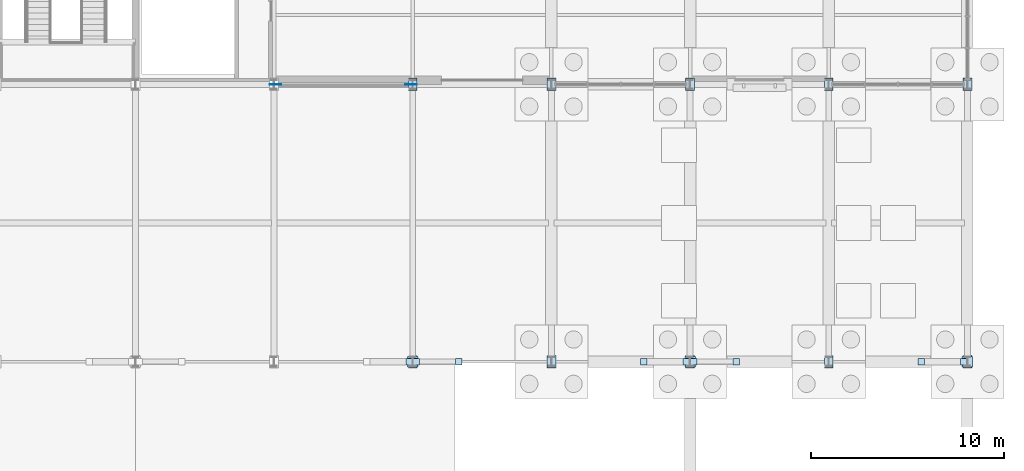
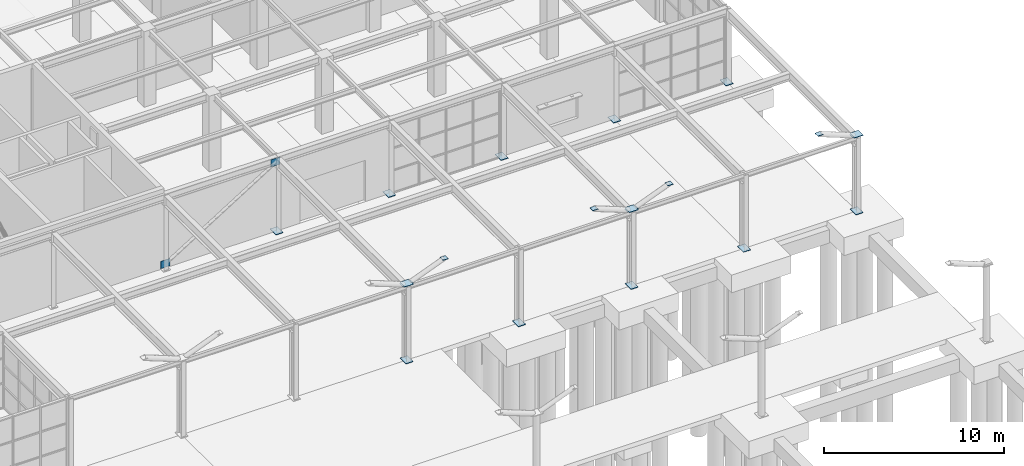
# One storey, part 56 of 75: 24 plates.
"""IFC4 building model written with IfcOpenShell, lengths in metres."""

from ifc_helpers import new_model, si_unit, direction, frame, origin, origin_2d, place, context, subcontext, project, spatial, rectangle, extrude, material, layer, layer_set, type_object, element, save


model = new_model("IFC4")

# Units and contexts
model_context = context("Model", 3, precision=1e-05, world=origin(), true_north=direction((0.0, 1.0)))
body_context = subcontext(model_context, "Body", "Model", "MODEL_VIEW")
ifc_project = project(units=[si_unit("LENGTHUNIT", "METRE"), si_unit("AREAUNIT", "SQUARE_METRE"), si_unit("VOLUMEUNIT", "CUBIC_METRE"), si_unit("PLANEANGLEUNIT", "RADIAN"), si_unit("MASSUNIT", "GRAM", prefix="KILO")], contexts=[model_context])

# Site, building, storey
site_placement = place(None, origin())
site = spatial("IfcSite", under=ifc_project, at=site_placement, CompositionType="ELEMENT")
building_placement = place(site_placement, origin())
building = spatial("IfcBuilding", under=site, at=building_placement, Name="Leyfeld Transit Interchange", CompositionType="ELEMENT")
storey_placement = place(building_placement, origin())
storey = spatial("IfcBuildingStorey", under=building, at=storey_placement, Name="L00", CompositionType="ELEMENT", Elevation=0.0)

# Plates
ifc_material = material(Name="Steel S355J2", Category="steel")
ifc_layer_1 = layer(ifc_material, 0.031982421875, Name="Steel S355J2")
ifc_layer_set_1 = layer_set([ifc_layer_1], Name="Steel S355J2")
plate_type_1 = type_object("IfcPlateType", Name="PLT-BASE-32", PredefinedType="USERDEFINED", material=ifc_layer_set_1)
for number, where, z_axis, x_axis, name in (
    (1, (158.39990234375, 43.199951171875, 0.0), (0.0, 0.0, 1.0), (1.0, 0.0, 0.0), "Column Baseplate 0851"),
    (2, (158.39990234375, 57.60009765625, 0.0), (0.0, 0.0, 1.0), (1.0, 0.0, 0.0), "Column Baseplate 0855"),
    (3, (165.60009765625, 43.199951171875, 0.0), (0.0, 0.0, 1.0), (1.0, 0.0, 0.0), "Column Baseplate 0887"),
    (4, (165.60009765625, 57.60009765625, 0.0), (0.0, 0.0, 1.0), (1.0, 0.0, 0.0), "Column Baseplate 0889"),
    (5, (172.800048828125, 43.199951171875, 0.0), (0.0, 0.0, 1.0), (1.0, 0.0, 0.0), "Column Baseplate 0919"),
    (6, (172.800048828125, 57.60009765625, 0.0), (0.0, 0.0, 1.0), (1.0, 0.0, 0.0), "Column Baseplate 0921"),
    (7, (180.0, 43.199951171875, 0.0), (0.0, 0.0, 1.0), (1.0, 0.0, 0.0), "Column Baseplate 0948"),
    (8, (180.0, 57.60009765625, 0.0), (0.0, 0.0, 1.0), (1.0, 0.0, 0.0), "Column Baseplate 0950"),
    (9, (187.199951171875, 43.199951171875, 0.0), (0.0, 0.0, 1.0), (1.0, 0.0, 0.0), "Column Baseplate 0976"),
    (10, (187.199951171875, 57.60009765625, 0.0), (0.0, 0.0, 1.0), (1.0, 0.0, 0.0), "Column Baseplate 0978"),
):
    element("IfcPlate", number, at=place(storey_placement, frame(where, z_axis=z_axis, x_axis=x_axis)), inside=storey, type_object=plate_type_1, Name=name, ObjectType="BASE_PLATE", PredefinedType="USERDEFINED", context=body_context, shape_type="SweptSolid", body=[
        extrude(rectangle(XDim=0.4599609375, YDim=0.659912109375, at=origin_2d()), origin(), (0.0, 0.0, 1.0), 0.031982421875),
    ])
for number, where, z_axis, x_axis, name in (
    (11, (158.39990234375, 43.199951171875, 5.18408203125), (0.0, 0.0, 1.0), (1.0, 0.0, 0.0), "V-Strut Pier Cap Plate 017"),
    (12, (172.800048828125, 43.199951171875, 5.18408203125), (0.0, 0.0, 1.0), (1.0, 0.0, 0.0), "V-Strut Pier Cap Plate 021"),
    (13, (187.199951171875, 43.199951171875, 5.18408203125), (0.0, 0.0, 1.0), (1.0, 0.0, 0.0), "V-Strut Pier Cap Plate 025"),
):
    element("IfcPlate", number, at=place(storey_placement, frame(where, z_axis=z_axis, x_axis=x_axis)), inside=storey, type_object=plate_type_1, Name=name, ObjectType="BASE_PLATE", PredefinedType="USERDEFINED", context=body_context, shape_type="SweptSolid", body=[
        extrude(rectangle(XDim=0.550048828125, YDim=0.550048828125, at=origin_2d()), origin(), (0.0, 0.0, 1.0), 0.031982421875),
    ])
ifc_layer_2 = layer(ifc_material, 0.02490234375, Name="Steel S355J2")
ifc_layer_set_2 = layer_set([ifc_layer_2], Name="Steel S355J2")
plate_type_2 = type_object("IfcPlateType", Name="PLT-CAP-25", PredefinedType="USERDEFINED", material=ifc_layer_set_2)
for number, where, z_axis, x_axis, name in (
    (14, (158.215087890625, 43.199951171875, 5.177490234375), (0.0, 0.0, 1.0), (1.0, 0.0, 0.0), "V-Strut Lower Shoe Plate 032"),
    (15, (158.5849609375, 43.199951171875, 5.177490234375), (0.0, 0.0, 1.0), (1.0, 0.0, 0.0), "V-Strut Lower Shoe Plate 033"),
    (16, (160.800048828125, 43.199951171875, 6.047607421875), (0.0, 0.0, 1.0), (1.0, 0.0, 0.0), "V-Strut Upper End Cap 033"),
    (17, (172.614990234375, 43.199951171875, 5.177490234375), (0.0, 0.0, 1.0), (1.0, 0.0, 0.0), "V-Strut Lower Shoe Plate 040"),
    (18, (170.39990234375, 43.199951171875, 6.047607421875), (0.0, 0.0, 1.0), (1.0, 0.0, 0.0), "V-Strut Upper End Cap 040"),
    (19, (172.985107421875, 43.199951171875, 5.177490234375), (0.0, 0.0, 1.0), (1.0, 0.0, 0.0), "V-Strut Lower Shoe Plate 041"),
    (20, (175.199951171875, 43.199951171875, 6.047607421875), (0.0, 0.0, 1.0), (1.0, 0.0, 0.0), "V-Strut Upper End Cap 041"),
    (21, (187.014892578125, 43.199951171875, 5.177490234375), (0.0, 0.0, 1.0), (1.0, 0.0, 0.0), "V-Strut Lower Shoe Plate 045"),
    (22, (184.800048828125, 43.199951171875, 6.047607421875), (0.0, 0.0, 1.0), (1.0, 0.0, 0.0), "V-Strut Upper End Cap 045"),
):
    element("IfcPlate", number, at=place(storey_placement, frame(where, z_axis=z_axis, x_axis=x_axis)), inside=storey, type_object=plate_type_2, Name=name, ObjectType="FLANGE_PLATE", PredefinedType="USERDEFINED", context=body_context, shape_type="SweptSolid", body=[
        extrude(rectangle(XDim=0.340087890625, YDim=0.340087890625, at=origin_2d()), origin(), (0.0, 0.0, 1.0), 0.02490234375),
    ])
ifc_layer_3 = layer(ifc_material, 0.02490234375, Name="Steel S355J2")
ifc_layer_set_3 = layer_set([ifc_layer_3], Name="Steel S355J2")
plate_type_3 = type_object("IfcPlateType", Name="PLT-GUS-25", PredefinedType="SHEET", material=ifc_layer_set_3)
for number, where, z_axis, x_axis, name in (
    (23, (151.280029296875, 57.60009765625, 0.050048828125), (0.0, 0.0, 1.0), (1.0, 0.0, 0.0), "Bracing Lower Gusset 007"),
    (24, (158.320068359375, 57.60009765625, 4.449951171875), (0.0, 0.0, 1.0), (1.0, 0.0, 0.0), "Bracing Upper Gusset 007"),
):
    element("IfcPlate", number, at=place(storey_placement, frame(where, z_axis=z_axis, x_axis=x_axis)), inside=storey, type_object=plate_type_3, Name=name, PredefinedType="SHEET", context=body_context, shape_type="SweptSolid", body=[
        extrude(rectangle(XDim=0.60009765625, YDim=0.02490234375, at=origin_2d()), origin(), (0.0, 0.0, 1.0), 0.5),
    ])

save(model, "model.ifc")
